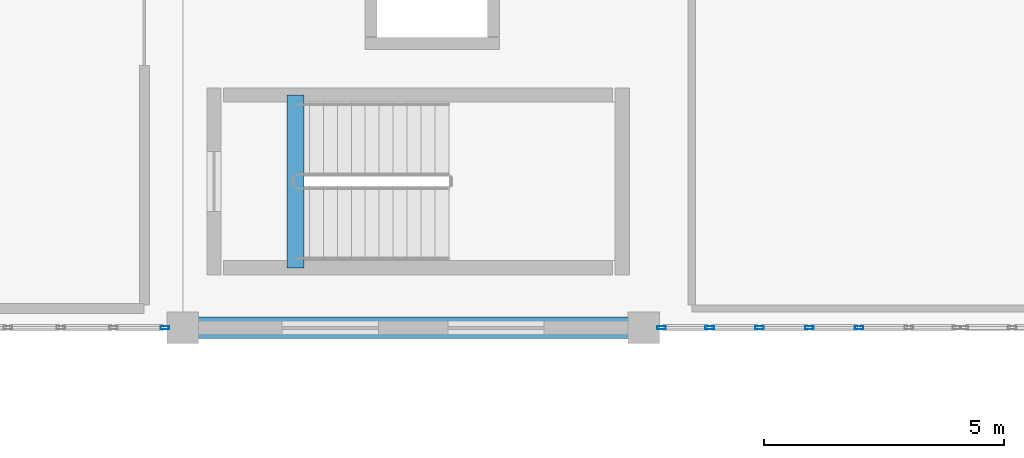
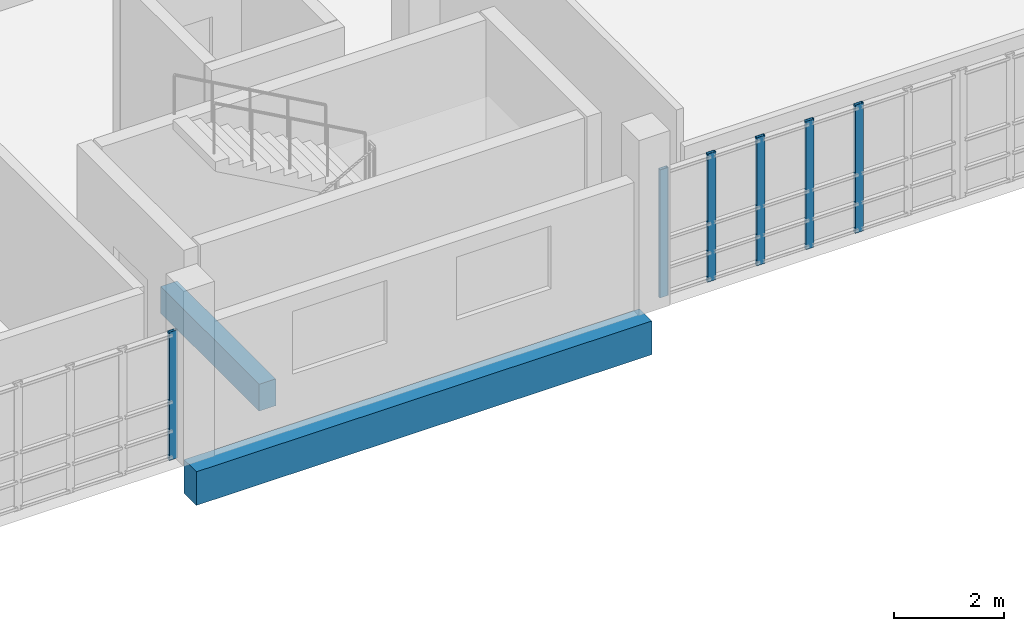
# One storey, part 6 of 25: 6 members, 2 beams, 2 elements without a shape of their own.
"""IFC4 building model written with IfcOpenShell, lengths in metres."""

from ifc_helpers import new_model, si_unit, direction, frame, origin, origin_2d, place, context, subcontext, project, spatial, rectangle, hollow_rectangle, extrude, material, layer, layer_set, material_profile, profile_set, type_object, element, aggregate, save


model = new_model("IFC4")

# Units and contexts
model_context = context("Model", 3, precision=1e-05, world=origin(), true_north=direction((0.0, 1.0)))
body_context = subcontext(model_context, "Body", "Model", "MODEL_VIEW")
ifc_project = project(units=[si_unit("LENGTHUNIT", "METRE"), si_unit("AREAUNIT", "SQUARE_METRE"), si_unit("VOLUMEUNIT", "CUBIC_METRE"), si_unit("PLANEANGLEUNIT", "RADIAN"), si_unit("MASSUNIT", "GRAM", prefix="KILO")], contexts=[model_context])

# Site, building, storey
site_placement = place(None, origin())
site = spatial("IfcSite", under=ifc_project, at=site_placement, CompositionType="ELEMENT")
building_placement = place(site_placement, origin())
building = spatial("IfcBuilding", under=site, at=building_placement, Name="Kisaragi Civic Commons", CompositionType="ELEMENT")
storey_placement = place(building_placement, frame((0.0, 0.0, 13.5)))
storey = spatial("IfcBuildingStorey", under=building, at=storey_placement, Name="L03", CompositionType="ELEMENT", Elevation=13.5)

# Curtain wall, members
ifc_material_1 = material(Name="Thermally broken anodized aluminium and low-E double glazing", Category="aluminium")
ifc_layer = layer(ifc_material_1, 0.179931640625, Name="Thermally broken anodized aluminium and low-E double glazing", Category="aluminium")
ifc_layer_set = layer_set([ifc_layer], Name="Thermally broken anodized aluminium and low-E double glazing")
curtain_wall_type = type_object("IfcCurtainWallType", Name="CW-01", PredefinedType="NOTDEFINED", material=ifc_layer_set)
curtain_wall_1_placement = place(storey_placement, origin())
curtain_wall_1 = element("IfcCurtainWall", 1, at=curtain_wall_1_placement, inside=storey, type_object=curtain_wall_type, Name="L03 curtain wall CW-01 CW-V4-L03-108", PredefinedType="NOTDEFINED")
ifc_material_profile_1 = material_profile(ifc_material_1, hollow_rectangle(XDim=0.06494140625, YDim=0.179931640625, WallThickness=0.00439453125, InnerFilletRadius=0.00439453125, OuterFilletRadius=0.009033203125, at=origin_2d()), Name="CWM-65x180x4.5", Category="aluminium")
ifc_profile_set_1 = profile_set([ifc_material_profile_1], Name="Thermally broken anodized aluminium and low-E double glazing")
member_type = type_object("IfcMemberType", Name="CWM-02", PredefinedType="MULLION", material=ifc_profile_set_1)
member_1_placement = place(storey_placement, frame((137.686767578125, 96.0, 0.0), z_axis=(0.0, 0.0, 1.0), x_axis=(0.0, -1.0, 0.0)))
member_1 = element("IfcMember", 2, at=member_1_placement, type_object=member_type, Name="CW-01 mullion 3", PredefinedType="MULLION", context=body_context, shape_type="SweptSolid", body=[
    extrude(hollow_rectangle(XDim=0.06494140625, YDim=0.179931640625, WallThickness=0.00439453125, InnerFilletRadius=0.00439453125, OuterFilletRadius=0.009033203125, at=origin_2d()), origin(), (0.0, 0.0, 1.0), 2.85498046875),
])
member_2_placement = place(storey_placement, frame((136.64990234375, 96.0, 0.0), z_axis=(0.0, 0.0, 1.0), x_axis=(0.0, -1.0, 0.0)))
member_2 = element("IfcMember", 3, at=member_2_placement, type_object=member_type, Name="CW-01 mullion 4", PredefinedType="MULLION", context=body_context, shape_type="SweptSolid", body=[
    extrude(hollow_rectangle(XDim=0.06494140625, YDim=0.179931640625, WallThickness=0.00439453125, InnerFilletRadius=0.00439453125, OuterFilletRadius=0.009033203125, at=origin_2d()), origin(), (0.0, 0.0, 1.0), 2.85498046875),
])
member_3_placement = place(storey_placement, frame((135.61328125, 96.0, 0.0), z_axis=(0.0, 0.0, 1.0), x_axis=(0.0, -1.0, 0.0)))
member_3 = element("IfcMember", 4, at=member_3_placement, type_object=member_type, Name="CW-01 mullion 5", PredefinedType="MULLION", context=body_context, shape_type="SweptSolid", body=[
    extrude(hollow_rectangle(XDim=0.06494140625, YDim=0.179931640625, WallThickness=0.00439453125, InnerFilletRadius=0.00439453125, OuterFilletRadius=0.009033203125, at=origin_2d()), origin(), (0.0, 0.0, 1.0), 2.85498046875),
])
member_4_placement = place(storey_placement, frame((134.57666015625, 96.0, 0.0), z_axis=(0.0, 0.0, 1.0), x_axis=(0.0, -1.0, 0.0)))
member_4 = element("IfcMember", 5, at=member_4_placement, type_object=member_type, Name="CW-01 mullion 6", PredefinedType="MULLION", context=body_context, shape_type="SweptSolid", body=[
    extrude(hollow_rectangle(XDim=0.06494140625, YDim=0.179931640625, WallThickness=0.00439453125, InnerFilletRadius=0.00439453125, OuterFilletRadius=0.009033203125, at=origin_2d()), origin(), (0.0, 0.0, 1.0), 2.85498046875),
])
member_5_placement = place(storey_placement, frame((133.572509765625, 96.0, 0.0), z_axis=(0.0, 0.0, 1.0), x_axis=(0.0, -1.0, 0.0)))
member_5 = element("IfcMember", 6, at=member_5_placement, type_object=member_type, Name="CW-01 mullion 7", PredefinedType="MULLION", context=body_context, shape_type="SweptSolid", body=[
    extrude(hollow_rectangle(XDim=0.06494140625, YDim=0.179931640625, WallThickness=0.00439453125, InnerFilletRadius=0.00439453125, OuterFilletRadius=0.009033203125, at=origin_2d()), origin(), (0.0, 0.0, 1.0), 2.85498046875),
])
aggregate(curtain_wall_1, [member_1, member_2, member_3, member_4, member_5])

# Curtain wall, member
curtain_wall_2_placement = place(storey_placement, origin())
curtain_wall_2 = element("IfcCurtainWall", 7, at=curtain_wall_2_placement, inside=storey, type_object=curtain_wall_type, Name="L03 curtain wall CW-01 CW-V4-L03-109", PredefinedType="NOTDEFINED")
member_6_placement = place(storey_placement, frame((123.2275390625, 96.0, 0.0), z_axis=(0.0, 0.0, 1.0), x_axis=(0.0, -1.0, 0.0)))
member_6 = element("IfcMember", 8, at=member_6_placement, type_object=member_type, Name="CW-01 mullion 1", PredefinedType="MULLION", context=body_context, shape_type="SweptSolid", body=[
    extrude(hollow_rectangle(XDim=0.06494140625, YDim=0.179931640625, WallThickness=0.00439453125, InnerFilletRadius=0.00439453125, OuterFilletRadius=0.009033203125, at=origin_2d()), origin(), (0.0, 0.0, 1.0), 2.85498046875),
])
aggregate(curtain_wall_2, [member_6])

# Beams
ifc_material_2 = material(Name="Concrete Fc30", Category="concrete")
ifc_material_profile_2 = material_profile(ifc_material_2, rectangle(XDim=0.35009765625, YDim=0.60009765625, at=origin_2d()), Name="RC-350x600", Category="concrete")
ifc_profile_set_2 = profile_set([ifc_material_profile_2], Name="Concrete Fc30")
beam_type_1 = type_object("IfcBeamType", Name="G-14", PredefinedType="BEAM", material=ifc_profile_set_2)
beam_1_placement = place(storey_placement, frame((125.949951171875, 97.25, -0.300048828125), z_axis=(0.0, 1.0, 0.0), x_axis=(-1.0, 0.0, 0.0)))
element("IfcBeam", 9, at=beam_1_placement, inside=storey, type_object=beam_type_1, Name="ST-L3 L03 stair landing trimmer beam", PredefinedType="BEAM", context=body_context, shape_type="SweptSolid", body=[
    extrude(rectangle(XDim=0.35009765625, YDim=0.60009765625, at=origin_2d()), origin(), (0.0, 0.0, 1.0), 3.60009765625),
])
ifc_material_profile_3 = material_profile(ifc_material_2, rectangle(XDim=0.449951171875, YDim=0.75, at=origin_2d()), Name="RC-450x750", Category="concrete")
ifc_profile_set_3 = profile_set([ifc_material_profile_3], Name="Concrete Fc30")
beam_type_2 = type_object("IfcBeamType", Name="SPB-04", PredefinedType="SPANDREL", material=ifc_profile_set_3)
beam_2_placement = place(storey_placement, frame((123.60009765625, 96.0, -0.669921875), z_axis=(1.0, 0.0, 0.0), x_axis=(0.0, 1.0, 0.0)))
element("IfcBeam", 10, at=beam_2_placement, inside=storey, type_object=beam_type_2, Name="L03 girder SPB-04 323", PredefinedType="SPANDREL", context=body_context, shape_type="SweptSolid", body=[
    extrude(rectangle(XDim=0.449951171875, YDim=0.75, at=origin_2d()), origin(), (0.0, 0.0, 1.0), 9.599853515625),
])

save(model, "model.ifc")
